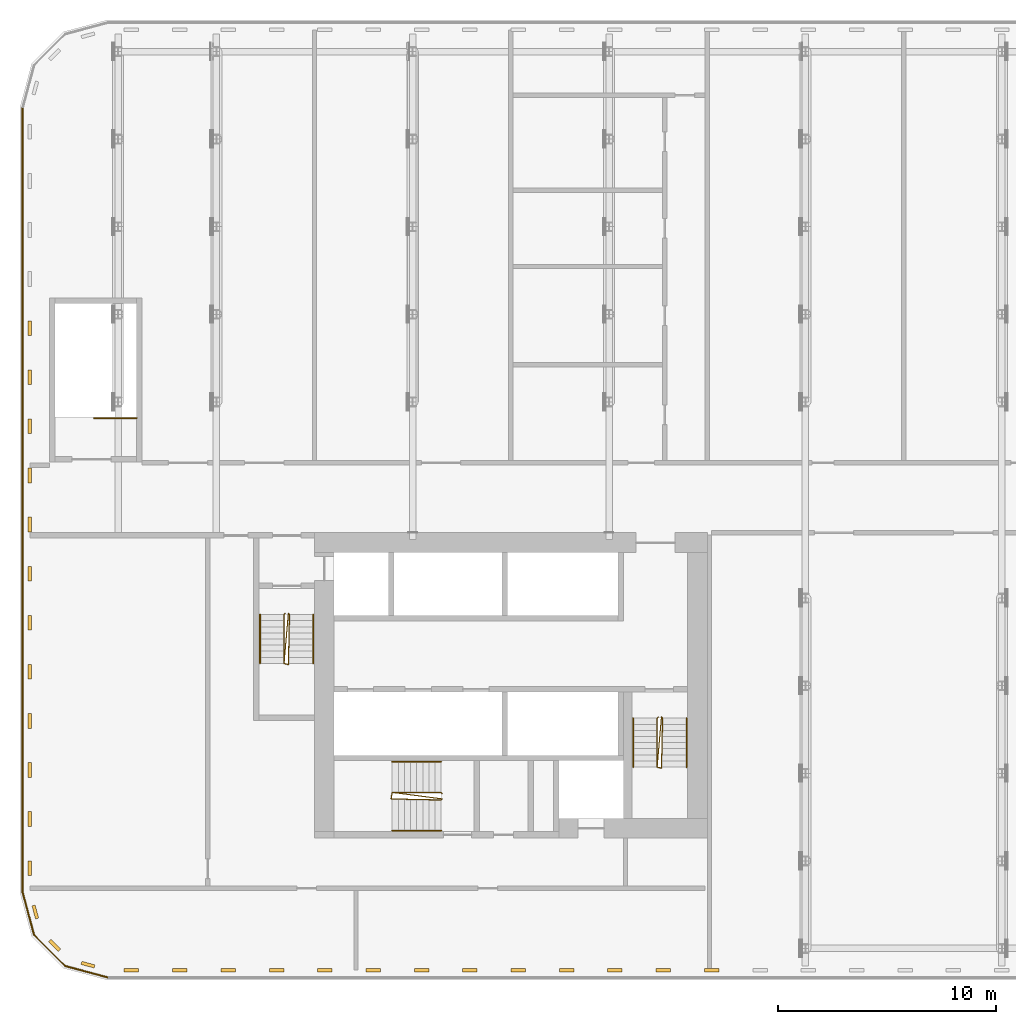
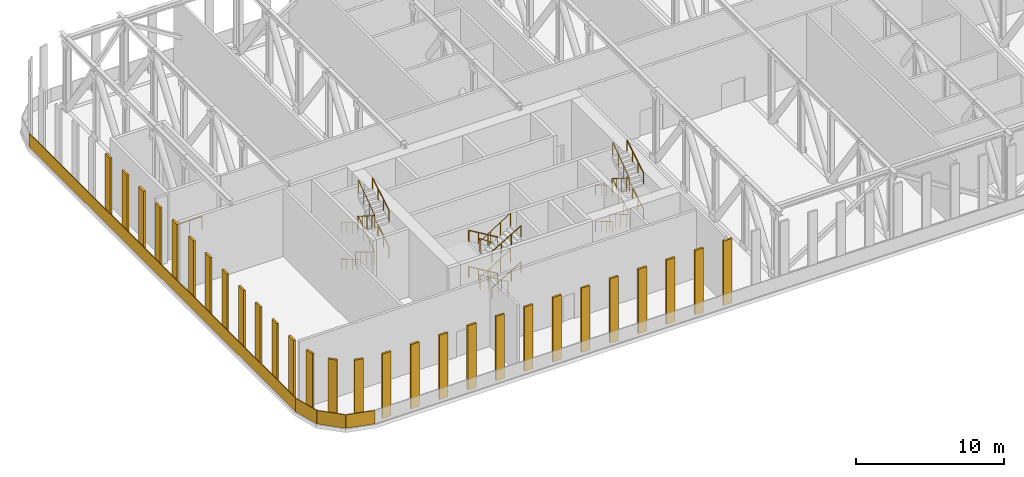
# One storey, part 24 of 26: 28 shading devices, 20 railings.
"""IFC4 building model written with IfcOpenShell, lengths in metres."""

from ifc_helpers import new_model, si_unit, direction, frame, origin, origin_2d, place, context, subcontext, project, spatial, polyline, rectangle, circle, outline, extrude, material, type_object, element, save


model = new_model("IFC4")

# Units and contexts
model_context = context("Model", 3, precision=1e-05, world=origin(), true_north=direction((0.0, 1.0)))
body_context = subcontext(model_context, "Body", "Model", "MODEL_VIEW")
ifc_project = project(units=[si_unit("LENGTHUNIT", "METRE"), si_unit("AREAUNIT", "SQUARE_METRE"), si_unit("VOLUMEUNIT", "CUBIC_METRE"), si_unit("PLANEANGLEUNIT", "RADIAN"), si_unit("MASSUNIT", "GRAM", prefix="KILO")], contexts=[model_context])

# Site, building, storey
site_placement = place(None, origin())
site = spatial("IfcSite", under=ifc_project, at=site_placement, CompositionType="ELEMENT")
building_placement = place(site_placement, origin())
building = spatial("IfcBuilding", under=site, at=building_placement, Name="Kajstack Hotel Tower", CompositionType="ELEMENT")
storey_placement = place(building_placement, frame((0.0, 0.0, 47.0)))
storey = spatial("IfcBuildingStorey", under=building, at=storey_placement, Name="L07", CompositionType="ELEMENT", Elevation=47.0)

# Railings
ifc_material = material(Name="Steel S355J2", Category="steel")
railing_type_1 = type_object("IfcRailingType", Name="GUARD-FACADE", PredefinedType="GUARDRAIL", material=ifc_material)
railing_1_placement = place(storey_placement, frame((-44.3564453125, -19.93798828125, 0.0)))
element("IfcRailing", 1, at=railing_1_placement, inside=storey, type_object=railing_type_1, Name="Guard L07 slab edge 01", PredefinedType="GUARDRAIL", context=body_context, shape_type="SweptSolid", body=[
    extrude(outline(polyline([(1.439697265625, -1.397216796875), (1.397216796875, -1.439697265625), (-0.021240234375, -0.021240234375), (0.021240234375, 0.021240234375), (1.439697265625, -1.397216796875)])), origin(), (0.0, 0.0, 1.0), 1.10009765625),
])
railing_2_placement = place(storey_placement, frame((-42.93798828125, -21.3564453125, 0.0)))
element("IfcRailing", 2, at=railing_2_placement, inside=storey, type_object=railing_type_1, Name="Guard L07 slab edge 02", PredefinedType="GUARDRAIL", context=body_context, shape_type="SweptSolid", body=[
    extrude(outline(polyline([(1.961669921875, -0.494384765625), (1.946044921875, -0.552490234375), (-0.0078125, -0.029052734375), (0.0078125, 0.029052734375), (1.961669921875, -0.494384765625)])), origin(), (0.0, 0.0, 1.0), 1.10009765625),
])
railing_3_placement = place(storey_placement, frame((-44.8798828125, 17.984130859375, 0.0)))
element("IfcRailing", 3, at=railing_3_placement, inside=storey, type_object=railing_type_1, Name="Guard L07 slab edge 15", PredefinedType="GUARDRAIL", context=body_context, shape_type="SweptSolid", body=[
    extrude(outline(polyline([(0.030029296875, -35.96826171875), (-0.030029296875, -35.96826171875), (-0.030029296875, 0.0), (0.030029296875, 0.0), (0.030029296875, -35.96826171875)])), origin(), (0.0, 0.0, 1.0), 1.10009765625),
])
railing_4_placement = place(storey_placement, frame((-44.8798828125, -17.984130859375, 0.0)))
element("IfcRailing", 4, at=railing_4_placement, inside=storey, type_object=railing_type_1, Name="Guard L07 slab edge 16", PredefinedType="GUARDRAIL", context=body_context, shape_type="SweptSolid", body=[
    extrude(outline(polyline([(0.552490234375, -1.946044921875), (0.494384765625, -1.961669921875), (-0.029052734375, -0.0078125), (0.029052734375, 0.0078125), (0.552490234375, -1.946044921875)])), origin(), (0.0, 0.0, 1.0), 1.10009765625),
])
railing_type_2 = type_object("IfcRailingType", Name="Stair guard 1100", PredefinedType="GUARDRAIL", material=ifc_material)
railing_5_placement = place(storey_placement, frame((-32.85009765625, -5.199951171875, 0.0)))
element("IfcRailing", 5, at=railing_5_placement, inside=storey, type_object=railing_type_2, Name="L07 W1 stair guard 1", PredefinedType="GUARDRAIL", context=body_context, shape_type="SweptSolid", body=[
    extrude(circle(Radius=0.02392578125, at=origin_2d()), frame((0.0, 0.0, 1.076171875), z_axis=(-0.275041040955, -0.276389281352, 0.920848191041), x_axis=(0.708833529934, -0.705375805398, 0.0)), (0.0, 0.0, 1.0), 0.18115234375),
    extrude(circle(Radius=0.02392578125, at=origin_2d()), frame((-0.0498046875, -0.050048828125, 1.24267578125), z_axis=(0.0, -0.859305625298, 0.511462454469), x_axis=(1.0, 0.0, 0.0)), (0.0, 0.0, 1.0), 2.606689453125),
    extrude(circle(Radius=0.02392578125, at=origin_2d()), frame((-0.0498046875, -2.2900390625, 2.576171875), z_axis=(0.970072785993, -0.242814311512, 0.0), x_axis=(0.242814311512, 0.970072785993, 0.0)), (0.0, 0.0, 1.0), 0.2060546875),
    extrude(circle(Radius=0.02392578125, at=origin_2d()), frame((0.150146484375, -2.340087890625, 2.576171875), z_axis=(0.01827916782, 0.836383386104, 0.547840034565), x_axis=(-0.999761264773, 0.0218497931, 0.0)), (0.0, 0.0, 1.0), 2.738037109375),
    extrude(circle(Radius=0.02392578125, at=origin_2d()), frame((0.2001953125, -0.050048828125, 4.076171875), z_axis=(-0.707106781187, 0.707106781187, 0.0), x_axis=(-0.707106781187, -0.707106781187, 0.0)), (0.0, 0.0, 1.0), 0.07080078125),
    extrude(circle(Radius=0.02392578125, at=origin_2d()), frame((0.150146484375, 0.0, 4.076171875), z_axis=(-0.072845657923, -0.83430069758, 0.546475851378), x_axis=(0.996209839609, -0.086982500921, 0.0)), (0.0, 0.0, 1.0), 2.744873046875),
    extrude(circle(Radius=0.02392578125, at=origin_2d()), frame((-0.0498046875, -2.2900390625, 5.576171875), z_axis=(0.970072785993, -0.242814311512, 0.0), x_axis=(0.242814311512, 0.970072785993, 0.0)), (0.0, 0.0, 1.0), 0.2060546875),
    extrude(circle(Radius=0.02392578125, at=origin_2d()), frame((0.150146484375, -2.340087890625, 5.576171875), z_axis=(0.01827916782, 0.836383386104, 0.547840034565), x_axis=(-0.999761264773, 0.0218497931, 0.0)), (0.0, 0.0, 1.0), 2.738037109375),
    extrude(circle(Radius=0.02099609375, at=origin_2d()), origin(), (0.0, 0.0, 1.0), 1.052001953125),
    extrude(circle(Radius=0.02099609375, at=origin_2d()), frame((-0.0498046875, -0.050048828125, 0.166748046875)), (0.0, 0.0, 1.0), 1.052001953125),
    extrude(circle(Radius=0.02099609375, at=origin_2d()), frame((-0.0498046875, -0.796630859375, 0.611083984375)), (0.0, 0.0, 1.0), 1.052001953125),
    extrude(circle(Radius=0.02099609375, at=origin_2d()), frame((-0.0498046875, -1.54345703125, 1.0556640625)), (0.0, 0.0, 1.0), 1.052001953125),
    extrude(circle(Radius=0.02099609375, at=origin_2d()), frame((-0.0498046875, -2.2900390625, 1.5)), (0.0, 0.0, 1.0), 1.052001953125),
    extrude(circle(Radius=0.02099609375, at=origin_2d()), frame((0.150146484375, -2.340087890625, 1.5)), (0.0, 0.0, 1.0), 1.052001953125),
    extrude(circle(Radius=0.02099609375, at=origin_2d()), frame((0.166748046875, -1.57666015625, 2.0)), (0.0, 0.0, 1.0), 1.052001953125),
    extrude(circle(Radius=0.02099609375, at=origin_2d()), frame((0.18359375, -0.8134765625, 2.5)), (0.0, 0.0, 1.0), 1.052001953125),
    extrude(circle(Radius=0.02099609375, at=origin_2d()), frame((0.2001953125, -0.050048828125, 3.0)), (0.0, 0.0, 1.0), 1.052001953125),
    extrude(circle(Radius=0.02099609375, at=origin_2d()), frame((0.150146484375, 0.0, 3.0)), (0.0, 0.0, 1.0), 1.052001953125),
    extrude(circle(Radius=0.02099609375, at=origin_2d()), frame((0.08349609375, -0.763427734375, 3.5)), (0.0, 0.0, 1.0), 1.052001953125),
    extrude(circle(Radius=0.02099609375, at=origin_2d()), frame((0.016845703125, -1.526611328125, 4.0)), (0.0, 0.0, 1.0), 1.052001953125),
    extrude(circle(Radius=0.02099609375, at=origin_2d()), frame((-0.0498046875, -2.2900390625, 4.5)), (0.0, 0.0, 1.0), 1.052001953125),
    extrude(circle(Radius=0.02099609375, at=origin_2d()), frame((0.150146484375, -2.340087890625, 4.5)), (0.0, 0.0, 1.0), 1.052001953125),
    extrude(circle(Radius=0.02099609375, at=origin_2d()), frame((0.166748046875, -1.57666015625, 5.0)), (0.0, 0.0, 1.0), 1.052001953125),
    extrude(circle(Radius=0.02099609375, at=origin_2d()), frame((0.18359375, -0.8134765625, 5.5)), (0.0, 0.0, 1.0), 1.052001953125),
    extrude(circle(Radius=0.02099609375, at=origin_2d()), frame((0.2001953125, -0.050048828125, 6.0)), (0.0, 0.0, 1.0), 1.052001953125),
])
railing_6_placement = place(storey_placement, frame((-15.75, -9.949951171875, 0.0)))
element("IfcRailing", 6, at=railing_6_placement, inside=storey, type_object=railing_type_2, Name="L07 W2 stair guard 1", PredefinedType="GUARDRAIL", context=body_context, shape_type="SweptSolid", body=[
    extrude(circle(Radius=0.02392578125, at=origin_2d()), frame((0.0, 0.0, 1.076171875), z_axis=(-0.27628659633, -0.27628659633, 0.920506074601), x_axis=(0.707106781187, -0.707106781187, 0.0)), (0.0, 0.0, 1.0), 0.18115234375),
    extrude(circle(Radius=0.02392578125, at=origin_2d()), frame((-0.050048828125, -0.050048828125, 1.24267578125), z_axis=(0.0, -0.859305625298, 0.511462454469), x_axis=(1.0, 0.0, 0.0)), (0.0, 0.0, 1.0), 2.606689453125),
    extrude(circle(Radius=0.02392578125, at=origin_2d()), frame((-0.050048828125, -2.2900390625, 2.576171875), z_axis=(0.970072785993, -0.242814311512, 0.0), x_axis=(0.242814311512, 0.970072785993, 0.0)), (0.0, 0.0, 1.0), 0.2060546875),
    extrude(circle(Radius=0.02392578125, at=origin_2d()), frame((0.14990234375, -2.340087890625, 2.576171875), z_axis=(0.01827916782, 0.836383386104, 0.547840034565), x_axis=(-0.999761264773, 0.0218497931, 0.0)), (0.0, 0.0, 1.0), 2.738037109375),
    extrude(circle(Radius=0.02392578125, at=origin_2d()), frame((0.199951171875, -0.050048828125, 4.076171875), z_axis=(-0.707106781187, 0.707106781187, 0.0), x_axis=(-0.707106781187, -0.707106781187, 0.0)), (0.0, 0.0, 1.0), 0.07080078125),
    extrude(circle(Radius=0.02392578125, at=origin_2d()), frame((0.14990234375, 0.0, 4.076171875), z_axis=(-0.072845657923, -0.83430069758, 0.546475851378), x_axis=(0.996209839609, -0.086982500921, 0.0)), (0.0, 0.0, 1.0), 2.744873046875),
    extrude(circle(Radius=0.02392578125, at=origin_2d()), frame((-0.050048828125, -2.2900390625, 5.576171875), z_axis=(0.970072785993, -0.242814311512, 0.0), x_axis=(0.242814311512, 0.970072785993, 0.0)), (0.0, 0.0, 1.0), 0.2060546875),
    extrude(circle(Radius=0.02392578125, at=origin_2d()), frame((0.14990234375, -2.340087890625, 5.576171875), z_axis=(0.01827916782, 0.836383386104, 0.547840034565), x_axis=(-0.999761264773, 0.0218497931, 0.0)), (0.0, 0.0, 1.0), 2.738037109375),
    extrude(circle(Radius=0.02099609375, at=origin_2d()), origin(), (0.0, 0.0, 1.0), 1.052001953125),
    extrude(circle(Radius=0.02099609375, at=origin_2d()), frame((-0.050048828125, -0.050048828125, 0.166748046875)), (0.0, 0.0, 1.0), 1.052001953125),
    extrude(circle(Radius=0.02099609375, at=origin_2d()), frame((-0.050048828125, -0.796630859375, 0.611083984375)), (0.0, 0.0, 1.0), 1.052001953125),
    extrude(circle(Radius=0.02099609375, at=origin_2d()), frame((-0.050048828125, -1.54345703125, 1.0556640625)), (0.0, 0.0, 1.0), 1.052001953125),
    extrude(circle(Radius=0.02099609375, at=origin_2d()), frame((-0.050048828125, -2.2900390625, 1.5)), (0.0, 0.0, 1.0), 1.052001953125),
    extrude(circle(Radius=0.02099609375, at=origin_2d()), frame((0.14990234375, -2.340087890625, 1.5)), (0.0, 0.0, 1.0), 1.052001953125),
    extrude(circle(Radius=0.02099609375, at=origin_2d()), frame((0.16650390625, -1.57666015625, 2.0)), (0.0, 0.0, 1.0), 1.052001953125),
    extrude(circle(Radius=0.02099609375, at=origin_2d()), frame((0.183349609375, -0.8134765625, 2.5)), (0.0, 0.0, 1.0), 1.052001953125),
    extrude(circle(Radius=0.02099609375, at=origin_2d()), frame((0.199951171875, -0.050048828125, 3.0)), (0.0, 0.0, 1.0), 1.052001953125),
    extrude(circle(Radius=0.02099609375, at=origin_2d()), frame((0.14990234375, 0.0, 3.0)), (0.0, 0.0, 1.0), 1.052001953125),
    extrude(circle(Radius=0.02099609375, at=origin_2d()), frame((0.083251953125, -0.763427734375, 3.5)), (0.0, 0.0, 1.0), 1.052001953125),
    extrude(circle(Radius=0.02099609375, at=origin_2d()), frame((0.0166015625, -1.526611328125, 4.0)), (0.0, 0.0, 1.0), 1.052001953125),
    extrude(circle(Radius=0.02099609375, at=origin_2d()), frame((-0.050048828125, -2.2900390625, 4.5)), (0.0, 0.0, 1.0), 1.052001953125),
    extrude(circle(Radius=0.02099609375, at=origin_2d()), frame((0.14990234375, -2.340087890625, 4.5)), (0.0, 0.0, 1.0), 1.052001953125),
    extrude(circle(Radius=0.02099609375, at=origin_2d()), frame((0.16650390625, -1.57666015625, 5.0)), (0.0, 0.0, 1.0), 1.052001953125),
    extrude(circle(Radius=0.02099609375, at=origin_2d()), frame((0.183349609375, -0.8134765625, 5.5)), (0.0, 0.0, 1.0), 1.052001953125),
    extrude(circle(Radius=0.02099609375, at=origin_2d()), frame((0.199951171875, -0.050048828125, 6.0)), (0.0, 0.0, 1.0), 1.052001953125),
])
railing_7_placement = place(storey_placement, frame((-25.64990234375, -13.449951171875, 0.0)))
element("IfcRailing", 7, at=railing_7_placement, inside=storey, type_object=railing_type_2, Name="L07 W3 stair guard 1", PredefinedType="GUARDRAIL", context=body_context, shape_type="SweptSolid", body=[
    extrude(circle(Radius=0.02392578125, at=origin_2d()), frame((0.0, 0.0, 1.076171875), z_axis=(-0.27628659633, 0.27628659633, 0.920506074601), x_axis=(-0.707106781187, -0.707106781187, 0.0)), (0.0, 0.0, 1.0), 0.18115234375),
    extrude(circle(Radius=0.02392578125, at=origin_2d()), frame((-0.050048828125, 0.050048828125, 1.24267578125), z_axis=(-0.859305625298, 0.0, 0.511462454469), x_axis=(0.0, -1.0, 0.0)), (0.0, 0.0, 1.0), 2.606689453125),
    extrude(circle(Radius=0.02392578125, at=origin_2d()), frame((-2.2900390625, 0.050048828125, 2.576171875), z_axis=(-0.164529134168, -0.986372223864, 0.0), x_axis=(0.986372223864, -0.164529134168, 0.0)), (0.0, 0.0, 1.0), 0.30419921875),
    extrude(circle(Radius=0.02392578125, at=origin_2d()), frame((-2.340087890625, -0.25, 2.576171875), z_axis=(0.836383386104, -0.01827916782, 0.547840034565), x_axis=(0.0218497931, 0.999761264773, 0.0)), (0.0, 0.0, 1.0), 2.738037109375),
    extrude(circle(Radius=0.02392578125, at=origin_2d()), frame((-0.050048828125, -0.300048828125, 4.076171875), z_axis=(0.707106781187, 0.707106781187, 0.0), x_axis=(-0.707106781187, 0.707106781187, 0.0)), (0.0, 0.0, 1.0), 0.07080078125),
    extrude(circle(Radius=0.02392578125, at=origin_2d()), frame((0.0, -0.25, 4.076171875), z_axis=(-0.83154336719, 0.108951684251, 0.544669770577), x_axis=(-0.129913080979, -0.991525386155, 0.0)), (0.0, 0.0, 1.0), 2.75390625),
    extrude(circle(Radius=0.02392578125, at=origin_2d()), frame((-2.2900390625, 0.050048828125, 5.576171875), z_axis=(-0.164529134168, -0.986372223864, 0.0), x_axis=(0.986372223864, -0.164529134168, 0.0)), (0.0, 0.0, 1.0), 0.30419921875),
    extrude(circle(Radius=0.02392578125, at=origin_2d()), frame((-2.340087890625, -0.25, 5.576171875), z_axis=(0.836383386104, -0.01827916782, 0.547840034565), x_axis=(0.0218497931, 0.999761264773, 0.0)), (0.0, 0.0, 1.0), 2.738037109375),
    extrude(circle(Radius=0.02099609375, at=origin_2d()), origin(), (0.0, 0.0, 1.0), 1.052001953125),
    extrude(circle(Radius=0.02099609375, at=origin_2d()), frame((-0.050048828125, 0.050048828125, 0.166748046875)), (0.0, 0.0, 1.0), 1.052001953125),
    extrude(circle(Radius=0.02099609375, at=origin_2d()), frame((-0.796630859375, 0.050048828125, 0.611083984375)), (0.0, 0.0, 1.0), 1.052001953125),
    extrude(circle(Radius=0.02099609375, at=origin_2d()), frame((-1.54345703125, 0.050048828125, 1.0556640625)), (0.0, 0.0, 1.0), 1.052001953125),
    extrude(circle(Radius=0.02099609375, at=origin_2d()), frame((-2.2900390625, 0.050048828125, 1.5)), (0.0, 0.0, 1.0), 1.052001953125),
    extrude(circle(Radius=0.02099609375, at=origin_2d()), frame((-2.340087890625, -0.25, 1.5)), (0.0, 0.0, 1.0), 1.052001953125),
    extrude(circle(Radius=0.02099609375, at=origin_2d()), frame((-1.57666015625, -0.2666015625, 2.0)), (0.0, 0.0, 1.0), 1.052001953125),
    extrude(circle(Radius=0.02099609375, at=origin_2d()), frame((-0.8134765625, -0.283447265625, 2.5)), (0.0, 0.0, 1.0), 1.052001953125),
    extrude(circle(Radius=0.02099609375, at=origin_2d()), frame((-0.050048828125, -0.300048828125, 3.0)), (0.0, 0.0, 1.0), 1.052001953125),
    extrude(circle(Radius=0.02099609375, at=origin_2d()), frame((0.0, -0.25, 3.0)), (0.0, 0.0, 1.0), 1.052001953125),
    extrude(circle(Radius=0.02099609375, at=origin_2d()), frame((-0.763427734375, -0.14990234375, 3.5)), (0.0, 0.0, 1.0), 1.052001953125),
    extrude(circle(Radius=0.02099609375, at=origin_2d()), frame((-1.526611328125, -0.050048828125, 4.0)), (0.0, 0.0, 1.0), 1.052001953125),
    extrude(circle(Radius=0.02099609375, at=origin_2d()), frame((-2.2900390625, 0.050048828125, 4.5)), (0.0, 0.0, 1.0), 1.052001953125),
    extrude(circle(Radius=0.02099609375, at=origin_2d()), frame((-2.340087890625, -0.25, 4.5)), (0.0, 0.0, 1.0), 1.052001953125),
    extrude(circle(Radius=0.02099609375, at=origin_2d()), frame((-1.57666015625, -0.2666015625, 5.0)), (0.0, 0.0, 1.0), 1.052001953125),
    extrude(circle(Radius=0.02099609375, at=origin_2d()), frame((-0.8134765625, -0.283447265625, 5.5)), (0.0, 0.0, 1.0), 1.052001953125),
    extrude(circle(Radius=0.02099609375, at=origin_2d()), frame((-0.050048828125, -0.300048828125, 6.0)), (0.0, 0.0, 1.0), 1.052001953125),
])
railing_8_placement = place(storey_placement, frame((-39.64990234375, 3.75, 0.0)))
element("IfcRailing", 8, at=railing_8_placement, inside=storey, type_object=railing_type_2, Name="L07 P1 top well guard 1", PredefinedType="GUARDRAIL", context=body_context, shape_type="SweptSolid", body=[
    extrude(circle(Radius=0.02392578125, at=origin_2d()), frame((0.0, 0.0, 1.076171875), z_axis=(-1.0, 0.0, 0.0), x_axis=(0.0, -1.0, 0.0)), (0.0, 0.0, 1.0), 1.9501953125),
    extrude(circle(Radius=0.02099609375, at=origin_2d()), origin(), (0.0, 0.0, 1.0), 1.052001953125),
    extrude(circle(Radius=0.02099609375, at=origin_2d()), frame((-0.97509765625, 0.0, 0.0)), (0.0, 0.0, 1.0), 1.052001953125),
    extrude(circle(Radius=0.02099609375, at=origin_2d()), frame((-1.9501953125, 0.0, 0.0)), (0.0, 0.0, 1.0), 1.052001953125),
])
railing_type_3 = type_object("IfcRailingType", Name="Stair handrail 900", PredefinedType="HANDRAIL", material=ifc_material)
railing_9_placement = place(storey_placement, frame((-34.0, -5.25, 0.166748046875)))
element("IfcRailing", 9, at=railing_9_placement, inside=storey, type_object=railing_type_3, Name="L07 W1 stair handrail 1", PredefinedType="HANDRAIL", context=body_context, shape_type="SweptSolid", body=[
    extrude(circle(Radius=0.02392578125, at=origin_2d()), frame((0.0, 0.0, 0.8759765625), z_axis=(0.0, -0.859305625298, 0.511462454469), x_axis=(1.0, 0.0, 0.0)), (0.0, 0.0, 1.0), 2.606689453125),
    extrude(circle(Radius=0.02099609375, at=origin_2d()), origin(), (0.0, 0.0, 1.0), 0.851806640625),
    extrude(circle(Radius=0.02099609375, at=origin_2d()), frame((0.0, -0.74658203125, 0.4443359375)), (0.0, 0.0, 1.0), 0.851806640625),
    extrude(circle(Radius=0.02099609375, at=origin_2d()), frame((0.0, -1.493408203125, 0.888916015625)), (0.0, 0.0, 1.0), 0.851806640625),
    extrude(circle(Radius=0.02099609375, at=origin_2d()), frame((0.0, -2.239990234375, 1.333251953125)), (0.0, 0.0, 1.0), 0.851806640625),
])
railing_10_placement = place(storey_placement, frame((-31.550048828125, -7.489990234375, 1.666748046875)))
element("IfcRailing", 10, at=railing_10_placement, inside=storey, type_object=railing_type_3, Name="L07 W1 stair handrail 2", PredefinedType="HANDRAIL", context=body_context, shape_type="SweptSolid", body=[
    extrude(circle(Radius=0.02392578125, at=origin_2d()), frame((0.0, 0.0, 0.8759765625), z_axis=(0.0, 0.859305625298, 0.511462454469), x_axis=(-1.0, 0.0, 0.0)), (0.0, 0.0, 1.0), 2.606689453125),
    extrude(circle(Radius=0.02099609375, at=origin_2d()), origin(), (0.0, 0.0, 1.0), 0.851806640625),
    extrude(circle(Radius=0.02099609375, at=origin_2d()), frame((0.0, 0.74658203125, 0.4443359375)), (0.0, 0.0, 1.0), 0.851806640625),
    extrude(circle(Radius=0.02099609375, at=origin_2d()), frame((0.0, 1.493408203125, 0.888916015625)), (0.0, 0.0, 1.0), 0.851806640625),
    extrude(circle(Radius=0.02099609375, at=origin_2d()), frame((0.0, 2.239990234375, 1.333251953125)), (0.0, 0.0, 1.0), 0.851806640625),
])
railing_11_placement = place(storey_placement, frame((-34.0, -5.25, 3.166748046875)))
element("IfcRailing", 11, at=railing_11_placement, inside=storey, type_object=railing_type_3, Name="L07 W1 stair handrail 3", PredefinedType="HANDRAIL", context=body_context, shape_type="SweptSolid", body=[
    extrude(circle(Radius=0.02392578125, at=origin_2d()), frame((0.0, 0.0, 0.8759765625), z_axis=(0.0, -0.859305625298, 0.511462454469), x_axis=(1.0, 0.0, 0.0)), (0.0, 0.0, 1.0), 2.606689453125),
    extrude(circle(Radius=0.02099609375, at=origin_2d()), origin(), (0.0, 0.0, 1.0), 0.851806640625),
    extrude(circle(Radius=0.02099609375, at=origin_2d()), frame((0.0, -0.74658203125, 0.4443359375)), (0.0, 0.0, 1.0), 0.851806640625),
    extrude(circle(Radius=0.02099609375, at=origin_2d()), frame((0.0, -1.493408203125, 0.888916015625)), (0.0, 0.0, 1.0), 0.851806640625),
    extrude(circle(Radius=0.02099609375, at=origin_2d()), frame((0.0, -2.239990234375, 1.333251953125)), (0.0, 0.0, 1.0), 0.851806640625),
])
railing_12_placement = place(storey_placement, frame((-31.550048828125, -7.489990234375, 4.666748046875)))
element("IfcRailing", 12, at=railing_12_placement, inside=storey, type_object=railing_type_3, Name="L07 W1 stair handrail 4", PredefinedType="HANDRAIL", context=body_context, shape_type="SweptSolid", body=[
    extrude(circle(Radius=0.02392578125, at=origin_2d()), frame((0.0, 0.0, 0.8759765625), z_axis=(0.0, 0.859305625298, 0.511462454469), x_axis=(-1.0, 0.0, 0.0)), (0.0, 0.0, 1.0), 2.606689453125),
    extrude(circle(Radius=0.02099609375, at=origin_2d()), origin(), (0.0, 0.0, 1.0), 0.851806640625),
    extrude(circle(Radius=0.02099609375, at=origin_2d()), frame((0.0, 0.74658203125, 0.4443359375)), (0.0, 0.0, 1.0), 0.851806640625),
    extrude(circle(Radius=0.02099609375, at=origin_2d()), frame((0.0, 1.493408203125, 0.888916015625)), (0.0, 0.0, 1.0), 0.851806640625),
    extrude(circle(Radius=0.02099609375, at=origin_2d()), frame((0.0, 2.239990234375, 1.333251953125)), (0.0, 0.0, 1.0), 0.851806640625),
])
railing_13_placement = place(storey_placement, frame((-16.89990234375, -10.0, 0.166748046875)))
element("IfcRailing", 13, at=railing_13_placement, inside=storey, type_object=railing_type_3, Name="L07 W2 stair handrail 1", PredefinedType="HANDRAIL", context=body_context, shape_type="SweptSolid", body=[
    extrude(circle(Radius=0.02392578125, at=origin_2d()), frame((0.0, 0.0, 0.8759765625), z_axis=(0.0, -0.859305625298, 0.511462454469), x_axis=(1.0, 0.0, 0.0)), (0.0, 0.0, 1.0), 2.606689453125),
    extrude(circle(Radius=0.02099609375, at=origin_2d()), origin(), (0.0, 0.0, 1.0), 0.851806640625),
    extrude(circle(Radius=0.02099609375, at=origin_2d()), frame((0.0, -0.74658203125, 0.4443359375)), (0.0, 0.0, 1.0), 0.851806640625),
    extrude(circle(Radius=0.02099609375, at=origin_2d()), frame((0.0, -1.493408203125, 0.888916015625)), (0.0, 0.0, 1.0), 0.851806640625),
    extrude(circle(Radius=0.02099609375, at=origin_2d()), frame((0.0, -2.239990234375, 1.333251953125)), (0.0, 0.0, 1.0), 0.851806640625),
])
railing_14_placement = place(storey_placement, frame((-14.449951171875, -12.239990234375, 1.666748046875)))
element("IfcRailing", 14, at=railing_14_placement, inside=storey, type_object=railing_type_3, Name="L07 W2 stair handrail 2", PredefinedType="HANDRAIL", context=body_context, shape_type="SweptSolid", body=[
    extrude(circle(Radius=0.02392578125, at=origin_2d()), frame((0.0, 0.0, 0.8759765625), z_axis=(0.0, 0.859305625298, 0.511462454469), x_axis=(-1.0, 0.0, 0.0)), (0.0, 0.0, 1.0), 2.606689453125),
    extrude(circle(Radius=0.02099609375, at=origin_2d()), origin(), (0.0, 0.0, 1.0), 0.851806640625),
    extrude(circle(Radius=0.02099609375, at=origin_2d()), frame((0.0, 0.74658203125, 0.4443359375)), (0.0, 0.0, 1.0), 0.851806640625),
    extrude(circle(Radius=0.02099609375, at=origin_2d()), frame((0.0, 1.493408203125, 0.888916015625)), (0.0, 0.0, 1.0), 0.851806640625),
    extrude(circle(Radius=0.02099609375, at=origin_2d()), frame((0.0, 2.239990234375, 1.333251953125)), (0.0, 0.0, 1.0), 0.851806640625),
])
railing_15_placement = place(storey_placement, frame((-16.89990234375, -10.0, 3.166748046875)))
element("IfcRailing", 15, at=railing_15_placement, inside=storey, type_object=railing_type_3, Name="L07 W2 stair handrail 3", PredefinedType="HANDRAIL", context=body_context, shape_type="SweptSolid", body=[
    extrude(circle(Radius=0.02392578125, at=origin_2d()), frame((0.0, 0.0, 0.8759765625), z_axis=(0.0, -0.859305625298, 0.511462454469), x_axis=(1.0, 0.0, 0.0)), (0.0, 0.0, 1.0), 2.606689453125),
    extrude(circle(Radius=0.02099609375, at=origin_2d()), origin(), (0.0, 0.0, 1.0), 0.851806640625),
    extrude(circle(Radius=0.02099609375, at=origin_2d()), frame((0.0, -0.74658203125, 0.4443359375)), (0.0, 0.0, 1.0), 0.851806640625),
    extrude(circle(Radius=0.02099609375, at=origin_2d()), frame((0.0, -1.493408203125, 0.888916015625)), (0.0, 0.0, 1.0), 0.851806640625),
    extrude(circle(Radius=0.02099609375, at=origin_2d()), frame((0.0, -2.239990234375, 1.333251953125)), (0.0, 0.0, 1.0), 0.851806640625),
])
railing_16_placement = place(storey_placement, frame((-14.449951171875, -12.239990234375, 4.666748046875)))
element("IfcRailing", 16, at=railing_16_placement, inside=storey, type_object=railing_type_3, Name="L07 W2 stair handrail 4", PredefinedType="HANDRAIL", context=body_context, shape_type="SweptSolid", body=[
    extrude(circle(Radius=0.02392578125, at=origin_2d()), frame((0.0, 0.0, 0.8759765625), z_axis=(0.0, 0.859305625298, 0.511462454469), x_axis=(-1.0, 0.0, 0.0)), (0.0, 0.0, 1.0), 2.606689453125),
    extrude(circle(Radius=0.02099609375, at=origin_2d()), origin(), (0.0, 0.0, 1.0), 0.851806640625),
    extrude(circle(Radius=0.02099609375, at=origin_2d()), frame((0.0, 0.74658203125, 0.4443359375)), (0.0, 0.0, 1.0), 0.851806640625),
    extrude(circle(Radius=0.02099609375, at=origin_2d()), frame((0.0, 1.493408203125, 0.888916015625)), (0.0, 0.0, 1.0), 0.851806640625),
    extrude(circle(Radius=0.02099609375, at=origin_2d()), frame((0.0, 2.239990234375, 1.333251953125)), (0.0, 0.0, 1.0), 0.851806640625),
])
railing_17_placement = place(storey_placement, frame((-25.699951171875, -12.0, 0.166748046875)))
element("IfcRailing", 17, at=railing_17_placement, inside=storey, type_object=railing_type_3, Name="L07 W3 stair handrail 1", PredefinedType="HANDRAIL", context=body_context, shape_type="SweptSolid", body=[
    extrude(circle(Radius=0.02392578125, at=origin_2d()), frame((0.0, 0.0, 0.8759765625), z_axis=(-0.859305625298, 0.0, 0.511462454469), x_axis=(0.0, -1.0, 0.0)), (0.0, 0.0, 1.0), 2.606689453125),
    extrude(circle(Radius=0.02099609375, at=origin_2d()), origin(), (0.0, 0.0, 1.0), 0.851806640625),
    extrude(circle(Radius=0.02099609375, at=origin_2d()), frame((-0.74658203125, 0.0, 0.4443359375)), (0.0, 0.0, 1.0), 0.851806640625),
    extrude(circle(Radius=0.02099609375, at=origin_2d()), frame((-1.493408203125, 0.0, 0.888916015625)), (0.0, 0.0, 1.0), 0.851806640625),
    extrude(circle(Radius=0.02099609375, at=origin_2d()), frame((-2.239990234375, 0.0, 1.333251953125)), (0.0, 0.0, 1.0), 0.851806640625),
])
railing_18_placement = place(storey_placement, frame((-27.93994140625, -15.14990234375, 1.666748046875)))
element("IfcRailing", 18, at=railing_18_placement, inside=storey, type_object=railing_type_3, Name="L07 W3 stair handrail 2", PredefinedType="HANDRAIL", context=body_context, shape_type="SweptSolid", body=[
    extrude(circle(Radius=0.02392578125, at=origin_2d()), frame((0.0, 0.0, 0.8759765625), z_axis=(0.859305625298, 0.0, 0.511462454469), x_axis=(0.0, 1.0, 0.0)), (0.0, 0.0, 1.0), 2.606689453125),
    extrude(circle(Radius=0.02099609375, at=origin_2d()), origin(), (0.0, 0.0, 1.0), 0.851806640625),
    extrude(circle(Radius=0.02099609375, at=origin_2d()), frame((0.74658203125, 0.0, 0.4443359375)), (0.0, 0.0, 1.0), 0.851806640625),
    extrude(circle(Radius=0.02099609375, at=origin_2d()), frame((1.493408203125, 0.0, 0.888916015625)), (0.0, 0.0, 1.0), 0.851806640625),
    extrude(circle(Radius=0.02099609375, at=origin_2d()), frame((2.239990234375, 0.0, 1.333251953125)), (0.0, 0.0, 1.0), 0.851806640625),
])
railing_19_placement = place(storey_placement, frame((-25.699951171875, -12.0, 3.166748046875)))
element("IfcRailing", 19, at=railing_19_placement, inside=storey, type_object=railing_type_3, Name="L07 W3 stair handrail 3", PredefinedType="HANDRAIL", context=body_context, shape_type="SweptSolid", body=[
    extrude(circle(Radius=0.02392578125, at=origin_2d()), frame((0.0, 0.0, 0.8759765625), z_axis=(-0.859305625298, 0.0, 0.511462454469), x_axis=(0.0, -1.0, 0.0)), (0.0, 0.0, 1.0), 2.606689453125),
    extrude(circle(Radius=0.02099609375, at=origin_2d()), origin(), (0.0, 0.0, 1.0), 0.851806640625),
    extrude(circle(Radius=0.02099609375, at=origin_2d()), frame((-0.74658203125, 0.0, 0.4443359375)), (0.0, 0.0, 1.0), 0.851806640625),
    extrude(circle(Radius=0.02099609375, at=origin_2d()), frame((-1.493408203125, 0.0, 0.888916015625)), (0.0, 0.0, 1.0), 0.851806640625),
    extrude(circle(Radius=0.02099609375, at=origin_2d()), frame((-2.239990234375, 0.0, 1.333251953125)), (0.0, 0.0, 1.0), 0.851806640625),
])
railing_20_placement = place(storey_placement, frame((-27.93994140625, -15.14990234375, 4.666748046875)))
element("IfcRailing", 20, at=railing_20_placement, inside=storey, type_object=railing_type_3, Name="L07 W3 stair handrail 4", PredefinedType="HANDRAIL", context=body_context, shape_type="SweptSolid", body=[
    extrude(circle(Radius=0.02392578125, at=origin_2d()), frame((0.0, 0.0, 0.8759765625), z_axis=(0.859305625298, 0.0, 0.511462454469), x_axis=(0.0, 1.0, 0.0)), (0.0, 0.0, 1.0), 2.606689453125),
    extrude(circle(Radius=0.02099609375, at=origin_2d()), origin(), (0.0, 0.0, 1.0), 0.851806640625),
    extrude(circle(Radius=0.02099609375, at=origin_2d()), frame((0.74658203125, 0.0, 0.4443359375)), (0.0, 0.0, 1.0), 0.851806640625),
    extrude(circle(Radius=0.02099609375, at=origin_2d()), frame((1.493408203125, 0.0, 0.888916015625)), (0.0, 0.0, 1.0), 0.851806640625),
    extrude(circle(Radius=0.02099609375, at=origin_2d()), frame((2.239990234375, 0.0, 1.333251953125)), (0.0, 0.0, 1.0), 0.851806640625),
])

# Shading devices
for number, where, z_axis, x_axis, name in (
    (21, (-44.29736328125, -18.883544921875, 0.0), (0.0, 0.0, 1.0), (0.258819770022, -0.965925632047, 0.0), "Screen L07-00-01"),
    (22, (-43.413818359375, -20.413818359375, 0.0), (0.0, 0.0, 1.0), (0.707106781187, -0.707106781187, 0.0), "Screen L07-01-01"),
    (23, (-41.883544921875, -21.29736328125, 0.0), (0.0, 0.0, 1.0), (0.965925632047, -0.258819770022, 0.0), "Screen L07-02-01"),
):
    element("IfcShadingDevice", number, at=place(storey_placement, frame(where, z_axis=z_axis, x_axis=x_axis)), inside=storey, Name=name, ObjectType="SCREEN", PredefinedType="USERDEFINED", context=body_context, shape_type="SweptSolid", body=[
        extrude(rectangle(XDim=0.62109375, YDim=0.14990234375, at=origin_2d()), origin(), (0.0, 0.0, 1.0), 5.300048828125),
    ])
for number, where, z_axis, x_axis, name in (
    (24, (-39.891845703125, -21.550048828125, 0.0), (0.0, 0.0, 1.0), (1.0, 0.0, 0.0), "Screen L07-03-01"),
    (25, (-37.67578125, -21.550048828125, 0.0), (0.0, 0.0, 1.0), (1.0, 0.0, 0.0), "Screen L07-03-02"),
    (26, (-35.45947265625, -21.550048828125, 0.0), (0.0, 0.0, 1.0), (1.0, 0.0, 0.0), "Screen L07-03-03"),
    (27, (-33.2431640625, -21.550048828125, 0.0), (0.0, 0.0, 1.0), (1.0, 0.0, 0.0), "Screen L07-03-04"),
    (28, (-31.027099609375, -21.550048828125, 0.0), (0.0, 0.0, 1.0), (1.0, 0.0, 0.0), "Screen L07-03-05"),
    (29, (-28.810791015625, -21.550048828125, 0.0), (0.0, 0.0, 1.0), (1.0, 0.0, 0.0), "Screen L07-03-06"),
    (30, (-26.594482421875, -21.550048828125, 0.0), (0.0, 0.0, 1.0), (1.0, 0.0, 0.0), "Screen L07-03-07"),
    (31, (-24.37841796875, -21.550048828125, 0.0), (0.0, 0.0, 1.0), (1.0, 0.0, 0.0), "Screen L07-03-08"),
    (32, (-22.162109375, -21.550048828125, 0.0), (0.0, 0.0, 1.0), (1.0, 0.0, 0.0), "Screen L07-03-09"),
    (33, (-19.946044921875, -21.550048828125, 0.0), (0.0, 0.0, 1.0), (1.0, 0.0, 0.0), "Screen L07-03-10"),
    (34, (-17.729736328125, -21.550048828125, 0.0), (0.0, 0.0, 1.0), (1.0, 0.0, 0.0), "Screen L07-03-11"),
    (35, (-15.513427734375, -21.550048828125, 0.0), (0.0, 0.0, 1.0), (1.0, 0.0, 0.0), "Screen L07-03-12"),
    (36, (-13.29736328125, -21.550048828125, 0.0), (0.0, 0.0, 1.0), (1.0, 0.0, 0.0), "Screen L07-03-13"),
):
    element("IfcShadingDevice", number, at=place(storey_placement, frame(where, z_axis=z_axis, x_axis=x_axis)), inside=storey, Name=name, ObjectType="SCREEN", PredefinedType="USERDEFINED", context=body_context, shape_type="SweptSolid", body=[
        extrude(rectangle(XDim=0.664794921875, YDim=0.14990234375, at=origin_2d()), origin(), (0.0, 0.0, 1.0), 5.300048828125),
    ])
for number, where, z_axis, x_axis, name in (
    (37, (-44.550048828125, 7.875, 0.0), (0.0, 0.0, 1.0), (0.0, -1.0, 0.0), "Screen L07-15-05"),
    (38, (-44.550048828125, 5.625, 0.0), (0.0, 0.0, 1.0), (0.0, -1.0, 0.0), "Screen L07-15-06"),
    (39, (-44.550048828125, 3.375, 0.0), (0.0, 0.0, 1.0), (0.0, -1.0, 0.0), "Screen L07-15-07"),
    (40, (-44.550048828125, 1.125, 0.0), (0.0, 0.0, 1.0), (0.0, -1.0, 0.0), "Screen L07-15-08"),
    (41, (-44.550048828125, -1.125, 0.0), (0.0, 0.0, 1.0), (0.0, -1.0, 0.0), "Screen L07-15-09"),
    (42, (-44.550048828125, -3.375, 0.0), (0.0, 0.0, 1.0), (0.0, -1.0, 0.0), "Screen L07-15-10"),
    (43, (-44.550048828125, -5.625, 0.0), (0.0, 0.0, 1.0), (0.0, -1.0, 0.0), "Screen L07-15-11"),
    (44, (-44.550048828125, -7.875, 0.0), (0.0, 0.0, 1.0), (0.0, -1.0, 0.0), "Screen L07-15-12"),
    (45, (-44.550048828125, -10.125, 0.0), (0.0, 0.0, 1.0), (0.0, -1.0, 0.0), "Screen L07-15-13"),
    (46, (-44.550048828125, -12.375, 0.0), (0.0, 0.0, 1.0), (0.0, -1.0, 0.0), "Screen L07-15-14"),
    (47, (-44.550048828125, -14.625, 0.0), (0.0, 0.0, 1.0), (0.0, -1.0, 0.0), "Screen L07-15-15"),
    (48, (-44.550048828125, -16.875, 0.0), (0.0, 0.0, 1.0), (0.0, -1.0, 0.0), "Screen L07-15-16"),
):
    element("IfcShadingDevice", number, at=place(storey_placement, frame(where, z_axis=z_axis, x_axis=x_axis)), inside=storey, Name=name, ObjectType="SCREEN", PredefinedType="USERDEFINED", context=body_context, shape_type="SweptSolid", body=[
        extrude(rectangle(XDim=0.675048828125, YDim=0.14990234375, at=origin_2d()), origin(), (0.0, 0.0, 1.0), 5.300048828125),
    ])

save(model, "model.ifc")
